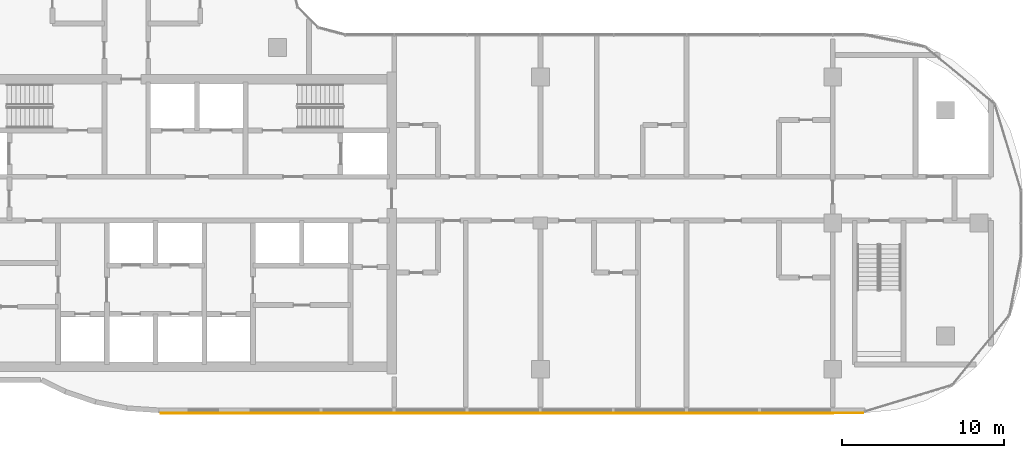
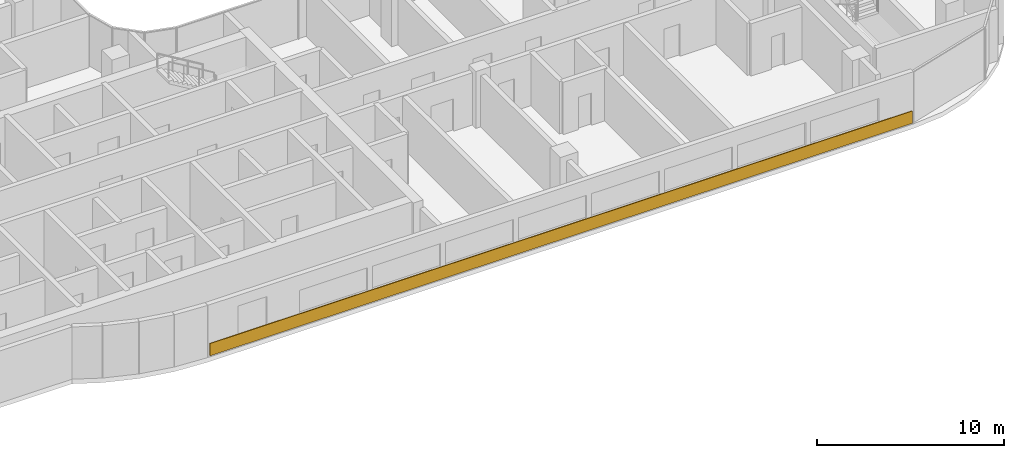
# One storey, part 21 of 23: 1 covering.
"""IFC4 building model written with IfcOpenShell, lengths in metres."""

from ifc_helpers import new_model, si_unit, direction, frame, origin, origin_2d, place, context, subcontext, project, spatial, rectangle, extrude, material, layer, layer_set, type_object, element, save


model = new_model("IFC4")

# Units and contexts
model_context = context("Model", 3, precision=1e-05, world=origin(), true_north=direction((0.0, 1.0)))
body_context = subcontext(model_context, "Body", "Model", "MODEL_VIEW")
ifc_project = project(units=[si_unit("LENGTHUNIT", "METRE"), si_unit("AREAUNIT", "SQUARE_METRE"), si_unit("VOLUMEUNIT", "CUBIC_METRE"), si_unit("PLANEANGLEUNIT", "RADIAN"), si_unit("MASSUNIT", "GRAM", prefix="KILO")], contexts=[model_context])

# Site, building, storey
site_placement = place(None, origin())
site = spatial("IfcSite", under=ifc_project, at=site_placement, CompositionType="ELEMENT")
building_placement = place(site_placement, origin())
building = spatial("IfcBuilding", under=site, at=building_placement, Name="Ogive Portal Towers", CompositionType="ELEMENT")
storey_placement = place(building_placement, frame((0.0, 0.0, 186.60009765625)))
storey = spatial("IfcBuildingStorey", under=building, at=storey_placement, Name="L46", CompositionType="ELEMENT", Elevation=186.60009765625)

# Covering
ifc_material = material(Name="Limestone cladding on lightweight block wall", Category="masonry")
ifc_layer = layer(ifc_material, 0.050048828125)
ifc_layer_set = layer_set([ifc_layer], Name="SCREEN PERFORATED STONE")
covering_type = type_object("IfcCoveringType", Name="SCREEN PERFORATED STONE", PredefinedType="CLADDING", material=ifc_layer_set)
covering_placement = place(storey_placement, frame((65.7490234375, 18.794921875, 0.10009765625), z_axis=(0.0, 0.0, 1.0), x_axis=(1.0, 0.0, 0.0)))
element("IfcCovering", 1, at=covering_placement, inside=storey, type_object=covering_type, Name="Tracery screen", PredefinedType="CLADDING", context=body_context, shape_type="SweptSolid", body=[
    extrude(rectangle(XDim=43.2783203125, YDim=0.050048828125, at=origin_2d()), origin(), (0.0, 0.0, 1.0), 0.800048828125),
])

save(model, "model.ifc")
